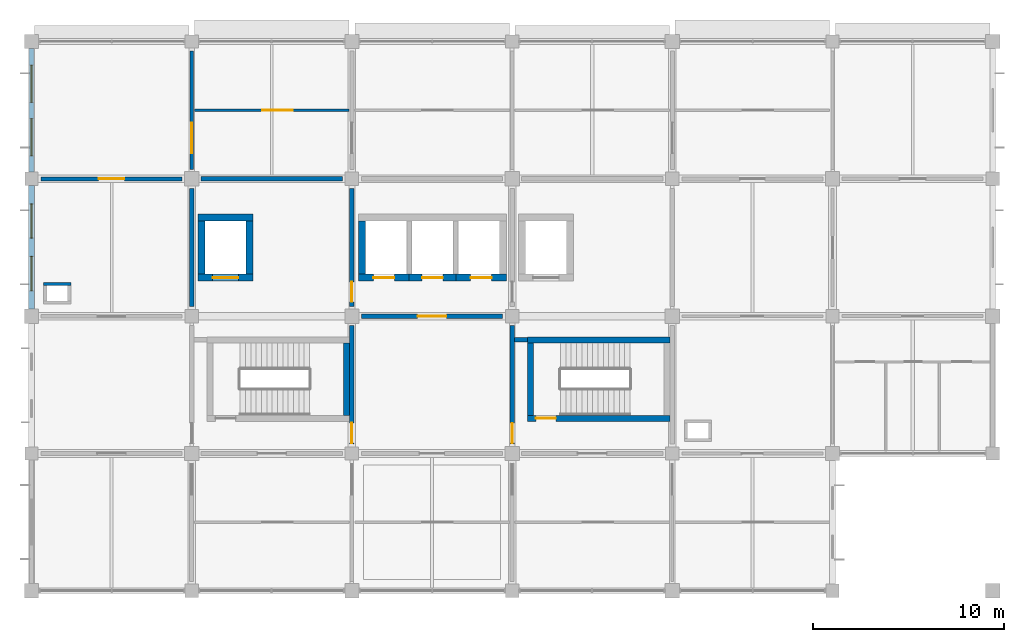
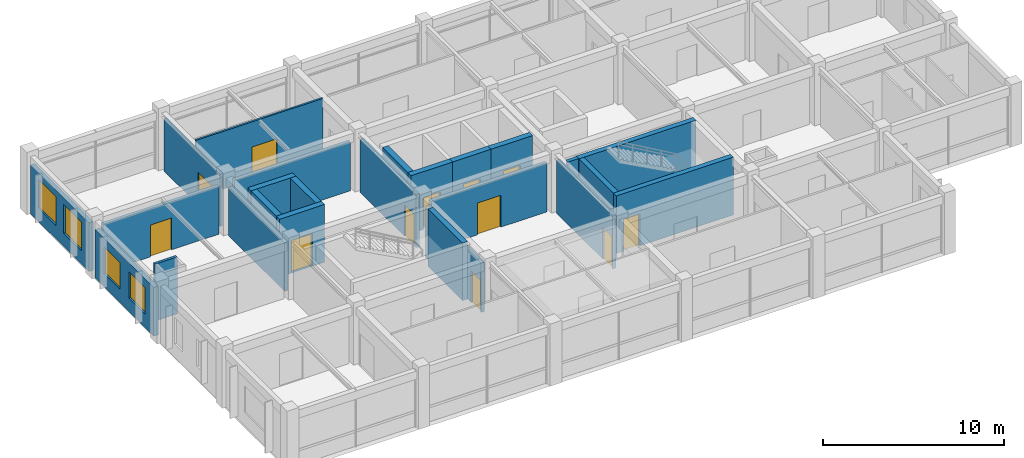
# One storey, part 9 of 13: 25 walls, 12 doors, 4 windows, 16 openings.
"""IFC4 building model written with IfcOpenShell, lengths in metres."""

from ifc_helpers import new_model, si_unit, derived_unit, direction, frame, frame_2d, origin, place, context, subcontext, project, spatial, rectangle, extrude, material, layer, layer_set, type_object, element, fill, save


model = new_model("IFC4")

# Units and contexts
model_context = context("Model", 3, precision=1e-05, world=origin(), true_north=direction((0.0, 1.0)))
body_context = subcontext(model_context, "Body", "Model", "MODEL_VIEW")
ifc_project = project(units=[si_unit("LENGTHUNIT", "METRE"), si_unit("AREAUNIT", "SQUARE_METRE"), si_unit("VOLUMEUNIT", "CUBIC_METRE"), si_unit("PLANEANGLEUNIT", "RADIAN"), si_unit("MASSUNIT", "GRAM", prefix="KILO"), derived_unit("THERMALTRANSMITTANCEUNIT", [(si_unit("MASSUNIT", "GRAM", prefix="KILO"), 1), (si_unit("TIMEUNIT", "SECOND"), -3), (si_unit("THERMODYNAMICTEMPERATUREUNIT", "KELVIN"), -1)])], contexts=[model_context])

# Site, building, storey
site_placement = place(None, origin())
site = spatial("IfcSite", under=ifc_project, at=site_placement, CompositionType="ELEMENT")
building_placement = place(site_placement, origin())
building = spatial("IfcBuilding", under=site, at=building_placement, Name="Veldstrom Oceanarium and Marine Research Institute", CompositionType="ELEMENT")
storey_placement = place(building_placement, frame((0.0, 0.0, 39.60009765625)))
storey = spatial("IfcBuildingStorey", under=building, at=storey_placement, Name="L08", CompositionType="ELEMENT", Elevation=39.60009765625)

# Wall, openings, windows
ifc_material_1 = material(Name="Masonry Cavity Wall", Category="masonry")
ifc_layer_1 = layer(ifc_material_1, 0.2900390625)
ifc_layer_set_1 = layer_set([ifc_layer_1], Name="ARC-WAL-EW2")
wall_type_1 = type_object("IfcWallType", Name="ARC-WAL-EW2", PredefinedType="SOLIDWALL", material=ifc_layer_set_1)
wall_1_placement = place(storey_placement, frame((67.199951171875, 57.97509765625, 0.0), z_axis=(0.0, 0.0, 1.0), x_axis=(0.0, 1.0, 0.0)))
wall_1 = element("IfcWall", 1, at=wall_1_placement, inside=storey, type_object=wall_type_1, Name="Exterior Facade Wall EW2 L08-206", PredefinedType="SOLIDWALL", context=body_context, shape_type="SweptSolid", body=[
    extrude(rectangle(XDim=6.474853515625, YDim=0.2900390625, at=frame_2d((3.2373046875, 0.0))), origin(), (0.0, 0.0, 1.0), 3.294921875),
])
opening_1_placement = place(wall_1_placement, frame((0.958251953125, 0.0, 0.89990234375)))
opening_1 = element("IfcOpeningElement", 2, at=opening_1_placement, cuts=wall_1, Name="Opening W03", PredefinedType="OPENING", context=body_context, shape_type="SweptSolid", body=[
    extrude(rectangle(XDim=1.800048828125, YDim=1.800048828125, at=frame_2d((0.89990234375, 0.89990234375))), frame((0.0, 0.155029296875, 0.0), z_axis=(0.0, -1.0, 0.0), x_axis=(1.0, 0.0, 0.0)), (0.0, 0.0, 1.0), 0.31005859375),
])
opening_2_placement = place(wall_1_placement, frame((3.716796875, 0.0, 0.89990234375)))
opening_2 = element("IfcOpeningElement", 3, at=opening_2_placement, cuts=wall_1, Name="Opening W03", PredefinedType="OPENING", context=body_context, shape_type="SweptSolid", body=[
    extrude(rectangle(XDim=1.800048828125, YDim=1.800048828125, at=frame_2d((0.89990234375, 0.89990234375))), frame((0.0, 0.155029296875, 0.0), z_axis=(0.0, -1.0, 0.0), x_axis=(1.0, 0.0, 0.0)), (0.0, 0.0, 1.0), 0.31005859375),
])
ifc_material_2 = material(Name="Double Glazed Low-E IGU", Category="glass")
window_type_1 = type_object("IfcWindowType", Name="ARC-WIN-W03", PartitioningType="SINGLE_PANEL", PredefinedType="WINDOW", material=ifc_material_2)
window_1_placement = place(opening_1_placement, origin())
window_1 = element("IfcWindow", 4, at=window_1_placement, inside=storey, type_object=window_type_1, Name="Facade Window W03 L08-0179", OverallHeight=1.800048828125, OverallWidth=1.800048828125, PartitioningType="SINGLE_PANEL", PredefinedType="WINDOW", context=body_context, shape_type="SweptSolid", body=[
    extrude(rectangle(XDim=1.800048828125, YDim=1.800048828125, at=frame_2d((0.89990234375, 0.89990234375))), frame((0.0, 0.030029296875, 0.0), z_axis=(0.0, -1.0, 0.0), x_axis=(1.0, 0.0, 0.0)), (0.0, 0.0, 1.0), 0.06005859375),
])
fill(opening_1, window_1)
window_2_placement = place(opening_2_placement, origin())
window_2 = element("IfcWindow", 5, at=window_2_placement, inside=storey, type_object=window_type_1, Name="Facade Window W03 L08-0180", OverallHeight=1.800048828125, OverallWidth=1.800048828125, PartitioningType="SINGLE_PANEL", PredefinedType="WINDOW", context=body_context, shape_type="SweptSolid", body=[
    extrude(rectangle(XDim=1.800048828125, YDim=1.800048828125, at=frame_2d((0.89990234375, 0.89990234375))), frame((0.0, 0.030029296875, 0.0), z_axis=(0.0, -1.0, 0.0), x_axis=(1.0, 0.0, 0.0)), (0.0, 0.0, 1.0), 0.06005859375),
])
fill(opening_2, window_2)

ifc_material_3 = material(Name="Masonry Cavity Wall", Category="masonry")
ifc_layer_2 = layer(ifc_material_3, 0.27001953125)
ifc_layer_set_2 = layer_set([ifc_layer_2], Name="ARC-WAL-EW3")
wall_type_2 = type_object("IfcWallType", Name="ARC-WAL-EW3", PredefinedType="SOLIDWALL", material=ifc_layer_set_2)
wall_2_placement = place(storey_placement, frame((67.199951171875, 65.14990234375, 0.0), z_axis=(0.0, 0.0, 1.0), x_axis=(0.0, 1.0, 0.0)))
wall_2 = element("IfcWall", 6, at=wall_2_placement, inside=storey, type_object=wall_type_2, Name="Exterior Facade Wall EW3 L08-207", PredefinedType="SOLIDWALL", context=body_context, shape_type="SweptSolid", body=[
    extrude(rectangle(XDim=6.47509765625, YDim=0.27001953125, at=frame_2d((3.237548828125, 0.0))), origin(), (0.0, 0.0, 1.0), 3.294921875),
])
opening_3_placement = place(wall_2_placement, frame((0.8583984375, 0.0, 0.89990234375)))
opening_3 = element("IfcOpeningElement", 7, at=opening_3_placement, cuts=wall_2, Name="Opening W22", PredefinedType="OPENING", context=body_context, shape_type="SweptSolid", body=[
    extrude(rectangle(XDim=1.949951171875, YDim=1.949951171875, at=frame_2d((0.97509765625, 0.97509765625))), frame((0.0, 0.14501953125, 0.0), z_axis=(0.0, -1.0, 0.0), x_axis=(1.0, 0.0, 0.0)), (0.0, 0.0, 1.0), 0.2900390625),
])
opening_4_placement = place(wall_2_placement, frame((3.666748046875, 0.0, 0.89990234375)))
opening_4 = element("IfcOpeningElement", 8, at=opening_4_placement, cuts=wall_2, Name="Opening W22", PredefinedType="OPENING", context=body_context, shape_type="SweptSolid", body=[
    extrude(rectangle(XDim=1.949951171875, YDim=1.949951171875, at=frame_2d((0.97509765625, 0.97509765625))), frame((0.0, 0.14501953125, 0.0), z_axis=(0.0, -1.0, 0.0), x_axis=(1.0, 0.0, 0.0)), (0.0, 0.0, 1.0), 0.2900390625),
])
ifc_material_4 = material(Name="Double Glazed Low-E IGU", Category="glass")
window_type_2 = type_object("IfcWindowType", Name="ARC-WIN-W22", PartitioningType="SINGLE_PANEL", PredefinedType="WINDOW", material=ifc_material_4)
window_3_placement = place(opening_3_placement, origin())
window_3 = element("IfcWindow", 9, at=window_3_placement, inside=storey, type_object=window_type_2, Name="Facade Window W22 L08-0181", OverallHeight=1.949951171875, OverallWidth=1.949951171875, PartitioningType="SINGLE_PANEL", PredefinedType="WINDOW", context=body_context, shape_type="SweptSolid", body=[
    extrude(rectangle(XDim=1.949951171875, YDim=1.949951171875, at=frame_2d((0.97509765625, 0.97509765625))), frame((0.0, 0.030029296875, 0.0), z_axis=(0.0, -1.0, 0.0), x_axis=(1.0, 0.0, 0.0)), (0.0, 0.0, 1.0), 0.06005859375),
])
fill(opening_3, window_3)
window_4_placement = place(opening_4_placement, origin())
window_4 = element("IfcWindow", 10, at=window_4_placement, inside=storey, type_object=window_type_2, Name="Facade Window W22 L08-0182", OverallHeight=1.949951171875, OverallWidth=1.949951171875, PartitioningType="SINGLE_PANEL", PredefinedType="WINDOW", context=body_context, shape_type="SweptSolid", body=[
    extrude(rectangle(XDim=1.949951171875, YDim=1.949951171875, at=frame_2d((0.97509765625, 0.97509765625))), frame((0.0, 0.030029296875, 0.0), z_axis=(0.0, -1.0, 0.0), x_axis=(1.0, 0.0, 0.0)), (0.0, 0.0, 1.0), 0.06005859375),
])
fill(opening_4, window_4)

# Wall
ifc_material_5 = material(Name="Masonry Fire Compartment Wall", Category="masonry")
ifc_layer_3 = layer(ifc_material_5, 0.22998046875)
ifc_layer_set_3 = layer_set([ifc_layer_3], Name="ARC-WAL-PT1")
wall_type_3 = type_object("IfcWallType", Name="ARC-WAL-PT1", PredefinedType="PARTITIONING", material=ifc_layer_set_3)
wall_3_placement = place(storey_placement, frame((75.60009765625, 58.10009765625, 0.0), z_axis=(0.0, 0.0, 1.0), x_axis=(0.0, 1.0, 0.0)))
element("IfcWall", 11, at=wall_3_placement, inside=storey, type_object=wall_type_3, Name="Interior Partition PT1 L08-1570", PredefinedType="PARTITIONING", context=body_context, shape_type="SweptSolid", body=[
    extrude(rectangle(XDim=6.199951171875, YDim=0.22998046875, at=frame_2d((3.10009765625, 0.0))), origin(), (0.0, 0.0, 1.0), 3.294921875),
])

# Wall, opening, door
wall_4_placement = place(storey_placement, frame((84.0, 50.89990234375, 0.0), z_axis=(0.0, 0.0, 1.0), x_axis=(0.0, 1.0, 0.0)))
wall_4 = element("IfcWall", 12, at=wall_4_placement, inside=storey, type_object=wall_type_3, Name="Interior Partition PT1 L08-1575", PredefinedType="PARTITIONING", context=body_context, shape_type="SweptSolid", body=[
    extrude(rectangle(XDim=6.2001953125, YDim=0.22998046875, at=frame_2d((3.10009765625, 0.0))), origin(), (0.0, 0.0, 1.0), 3.344970703125),
])
opening_5_placement = place(wall_4_placement, frame((0.050048828125, 0.0, 0.0)))
opening_5 = element("IfcOpeningElement", 13, at=opening_5_placement, cuts=wall_4, Name="Opening D-L08-957", PredefinedType="OPENING", context=body_context, shape_type="SweptSolid", body=[
    extrude(rectangle(XDim=1.050048828125, YDim=2.14990234375, at=frame_2d((0.52490234375, 1.074951171875))), frame((0.0, 0.125, 0.0), z_axis=(0.0, -1.0, 0.0), x_axis=(1.0, 0.0, 0.0)), (0.0, 0.0, 1.0), 0.25),
])
ifc_material_6 = material(Name="Painted Steel Fire Door", Category="steel")
door_type_1 = type_object("IfcDoorType", Name="ARC-DOR-SD1", OperationType="SINGLE_SWING_LEFT", PredefinedType="DOOR", material=ifc_material_6)
door_1_placement = place(opening_5_placement, frame((1.050048828125, 0.0, 0.0), z_axis=(0.0, 0.0, 1.0), x_axis=(-1.0, 0.0, 0.0)))
door_1 = element("IfcDoor", 14, at=door_1_placement, inside=storey, type_object=door_type_1, Name="Interior Door D-L08-957", OperationType="SINGLE_SWING_RIGHT", OverallHeight=2.14990234375, OverallWidth=1.050048828125, PredefinedType="DOOR", context=body_context, shape_type="SweptSolid", body=[
    extrude(rectangle(XDim=1.050048828125, YDim=2.14990234375, at=frame_2d((0.52490234375, 1.074951171875))), frame((0.0, 0.02490234375, 0.0), z_axis=(0.0, -1.0, 0.0), x_axis=(1.0, 0.0, 0.0)), (0.0, 0.0, 1.0), 0.050048828125),
])
fill(opening_5, door_1)

wall_5_placement = place(storey_placement, frame((84.0, 58.10009765625, 0.0), z_axis=(0.0, 0.0, 1.0), x_axis=(0.0, 1.0, 0.0)))
wall_5 = element("IfcWall", 15, at=wall_5_placement, inside=storey, type_object=wall_type_3, Name="Interior Partition PT1 L08-1577", PredefinedType="PARTITIONING", context=body_context, shape_type="SweptSolid", body=[
    extrude(rectangle(XDim=6.199951171875, YDim=0.22998046875, at=frame_2d((3.10009765625, 0.0))), origin(), (0.0, 0.0, 1.0), 3.60498046875),
])
opening_6_placement = place(wall_5_placement, frame((0.25, 0.0, 0.0)))
opening_6 = element("IfcOpeningElement", 16, at=opening_6_placement, cuts=wall_5, Name="Opening D-L08-958", PredefinedType="OPENING", context=body_context, shape_type="SweptSolid", body=[
    extrude(rectangle(XDim=1.050048828125, YDim=2.14990234375, at=frame_2d((0.52490234375, 1.074951171875))), frame((0.0, 0.125, 0.0), z_axis=(0.0, -1.0, 0.0), x_axis=(1.0, 0.0, 0.0)), (0.0, 0.0, 1.0), 0.25),
])
door_2_placement = place(opening_6_placement, origin())
door_2 = element("IfcDoor", 17, at=door_2_placement, inside=storey, type_object=door_type_1, Name="Interior Door D-L08-958", OperationType="SINGLE_SWING_LEFT", OverallHeight=2.14990234375, OverallWidth=1.050048828125, PredefinedType="DOOR", context=body_context, shape_type="SweptSolid", body=[
    extrude(rectangle(XDim=1.050048828125, YDim=2.14990234375, at=frame_2d((0.52490234375, 1.074951171875))), frame((0.0, 0.02490234375, 0.0), z_axis=(0.0, -1.0, 0.0), x_axis=(1.0, 0.0, 0.0)), (0.0, 0.0, 1.0), 0.050048828125),
])
fill(opening_6, door_2)

# Wall
wall_6_placement = place(storey_placement, frame((76.10009765625, 64.800048828125, 0.0), z_axis=(0.0, 0.0, 1.0), x_axis=(1.0, 0.0, 0.0)))
element("IfcWall", 18, at=wall_6_placement, inside=storey, type_object=wall_type_3, Name="Interior Partition PT1 L08-1578", PredefinedType="PARTITIONING", context=body_context, shape_type="SweptSolid", body=[
    extrude(rectangle(XDim=7.39990234375, YDim=0.22998046875, at=frame_2d((3.699951171875, 0.0))), origin(), (0.0, 0.0, 1.0), 3.294921875),
])

# Wall, opening, door
wall_7_placement = place(storey_placement, frame((92.39990234375, 50.89990234375, 0.0), z_axis=(0.0, 0.0, 1.0), x_axis=(0.0, 1.0, 0.0)))
wall_7 = element("IfcWall", 19, at=wall_7_placement, inside=storey, type_object=wall_type_3, Name="Interior Partition PT1 L08-1582", PredefinedType="PARTITIONING", context=body_context, shape_type="SweptSolid", body=[
    extrude(rectangle(XDim=6.2001953125, YDim=0.22998046875, at=frame_2d((3.10009765625, 0.0))), origin(), (0.0, 0.0, 1.0), 3.60498046875),
])
opening_7_placement = place(wall_7_placement, frame((0.050048828125, 0.0, 0.0)))
opening_7 = element("IfcOpeningElement", 20, at=opening_7_placement, cuts=wall_7, Name="Opening D-L08-962", PredefinedType="OPENING", context=body_context, shape_type="SweptSolid", body=[
    extrude(rectangle(XDim=1.050048828125, YDim=2.14990234375, at=frame_2d((0.52490234375, 1.074951171875))), frame((0.0, 0.125, 0.0), z_axis=(0.0, -1.0, 0.0), x_axis=(1.0, 0.0, 0.0)), (0.0, 0.0, 1.0), 0.25),
])
door_3_placement = place(opening_7_placement, origin())
door_3 = element("IfcDoor", 21, at=door_3_placement, inside=storey, type_object=door_type_1, Name="Interior Door D-L08-962", OperationType="SINGLE_SWING_LEFT", OverallHeight=2.14990234375, OverallWidth=1.050048828125, PredefinedType="DOOR", context=body_context, shape_type="SweptSolid", body=[
    extrude(rectangle(XDim=1.050048828125, YDim=2.14990234375, at=frame_2d((0.52490234375, 1.074951171875))), frame((0.0, 0.02490234375, 0.0), z_axis=(0.0, -1.0, 0.0), x_axis=(1.0, 0.0, 0.0)), (0.0, 0.0, 1.0), 0.050048828125),
])
fill(opening_7, door_3)

wall_8_placement = place(storey_placement, frame((84.5, 57.60009765625, 0.0), z_axis=(0.0, 0.0, 1.0), x_axis=(1.0, 0.0, 0.0)))
wall_8 = element("IfcWall", 22, at=wall_8_placement, inside=storey, type_object=wall_type_3, Name="Interior Partition PT1 L08-1583", PredefinedType="PARTITIONING", context=body_context, shape_type="SweptSolid", body=[
    extrude(rectangle(XDim=7.39990234375, YDim=0.22998046875, at=frame_2d((3.699951171875, 0.0))), origin(), (0.0, 0.0, 1.0), 3.294921875),
])
opening_8_placement = place(wall_8_placement, frame((2.949951171875, 0.0, 0.0)))
opening_8 = element("IfcOpeningElement", 23, at=opening_8_placement, cuts=wall_8, Name="Opening D-L08-963", PredefinedType="OPENING", context=body_context, shape_type="SweptSolid", body=[
    extrude(rectangle(XDim=1.5, YDim=2.14990234375, at=frame_2d((0.75, 1.074951171875))), frame((0.0, 0.125, 0.0), z_axis=(0.0, -1.0, 0.0), x_axis=(1.0, 0.0, 0.0)), (0.0, 0.0, 1.0), 0.25),
])
ifc_material_7 = material(Name="Painted Steel Lobby Fire Door", Category="steel")
door_type_2 = type_object("IfcDoorType", Name="ARC-DOR-SD2", OperationType="DOUBLE_DOOR_SINGLE_SWING", PredefinedType="DOOR", material=ifc_material_7)
door_4_placement = place(opening_8_placement, origin())
door_4 = element("IfcDoor", 24, at=door_4_placement, inside=storey, type_object=door_type_2, Name="Interior Door D-L08-963", OperationType="DOUBLE_DOOR_SINGLE_SWING", OverallHeight=2.14990234375, OverallWidth=1.5, PredefinedType="DOOR", context=body_context, shape_type="SweptSolid", body=[
    extrude(rectangle(XDim=1.5, YDim=2.14990234375, at=frame_2d((0.75, 1.074951171875))), frame((0.0, 0.02490234375, 0.0), z_axis=(0.0, -1.0, 0.0), x_axis=(1.0, 0.0, 0.0)), (0.0, 0.0, 1.0), 0.050048828125),
])
fill(opening_8, door_4)

# Wall
wall_9_placement = place(storey_placement, frame((92.52001953125, 56.360107421875, 0.0), z_axis=(0.0, 0.0, 1.0), x_axis=(1.0, 0.0, 0.0)))
element("IfcWall", 25, at=wall_9_placement, inside=storey, type_object=wall_type_3, Name="Interior Partition PT1 L08-1590", PredefinedType="PARTITIONING", context=body_context, shape_type="SweptSolid", body=[
    extrude(rectangle(XDim=0.679931640625, YDim=0.22998046875, at=frame_2d((0.33984375, 0.0))), origin(), (0.0, 0.0, 1.0), 3.89990234375),
])

# Wall, opening, door
ifc_material_8 = material(Name="Gypsum Acoustic Lab Partition", Category="gypsum")
ifc_layer_4 = layer(ifc_material_8, 0.1201171875)
ifc_layer_set_4 = layer_set([ifc_layer_4], Name="ARC-WAL-PT10")
wall_type_4 = type_object("IfcWallType", Name="ARC-WAL-PT10", PredefinedType="PARTITIONING", material=ifc_layer_set_4)
wall_10_placement = place(storey_placement, frame((75.75, 68.39990234375, 0.0), z_axis=(0.0, 0.0, 1.0), x_axis=(1.0, 0.0, 0.0)))
wall_10 = element("IfcWall", 26, at=wall_10_placement, inside=storey, type_object=wall_type_4, Name="Laboratory Suite Partition L08-9/9", PredefinedType="PARTITIONING", context=body_context, shape_type="SweptSolid", body=[
    extrude(rectangle(XDim=8.10009765625, YDim=0.1201171875, at=frame_2d((4.050048828125, 0.0))), origin(), (0.0, 0.0, 1.0), 3.89990234375),
])
opening_9_placement = place(wall_10_placement, frame((3.550048828125, 0.0, 0.0)))
opening_9 = element("IfcOpeningElement", 27, at=opening_9_placement, cuts=wall_10, Name="Opening D-L08-S945", PredefinedType="OPENING", context=body_context, shape_type="SweptSolid", body=[
    extrude(rectangle(XDim=1.60009765625, YDim=2.199951171875, at=frame_2d((0.800048828125, 1.10009765625))), frame((0.0, 0.070068359375, 0.0), z_axis=(0.0, -1.0, 0.0), x_axis=(1.0, 0.0, 0.0)), (0.0, 0.0, 1.0), 0.14013671875),
])
ifc_material_9 = material(Name="Acoustic Timber Corridor Door", Category="wood")
door_type_3 = type_object("IfcDoorType", Name="ARC-DOR-ID02", OperationType="DOUBLE_DOOR_SINGLE_SWING", PredefinedType="DOOR", material=ifc_material_9)
door_5_placement = place(opening_9_placement, origin())
door_5 = element("IfcDoor", 28, at=door_5_placement, inside=storey, type_object=door_type_3, Name="Suite Interior Door D-L08-S945", OperationType="SINGLE_SWING_RIGHT", OverallHeight=2.199951171875, OverallWidth=1.60009765625, PredefinedType="DOOR", context=body_context, shape_type="SweptSolid", body=[
    extrude(rectangle(XDim=1.60009765625, YDim=2.199951171875, at=frame_2d((0.800048828125, 1.10009765625))), frame((0.0, 0.02490234375, 0.0), z_axis=(0.0, -1.0, 0.0), x_axis=(1.0, 0.0, 0.0)), (0.0, 0.0, 1.0), 0.050048828125),
])
fill(opening_9, door_5)

ifc_material_10 = material(Name="Masonry Acoustic Lab Partition", Category="masonry")
ifc_layer_5 = layer(ifc_material_10, 0.205078125)
ifc_layer_set_5 = layer_set([ifc_layer_5], Name="ARC-WAL-PT2")
wall_type_5 = type_object("IfcWallType", Name="ARC-WAL-PT2", PredefinedType="PARTITIONING", material=ifc_layer_set_5)
wall_11_placement = place(storey_placement, frame((67.699951171875, 64.800048828125, 0.0), z_axis=(0.0, 0.0, 1.0), x_axis=(1.0, 0.0, 0.0)))
wall_11 = element("IfcWall", 29, at=wall_11_placement, inside=storey, type_object=wall_type_5, Name="Interior Partition PT2 L08-1571", PredefinedType="PARTITIONING", context=body_context, shape_type="SweptSolid", body=[
    extrude(rectangle(XDim=7.400146484375, YDim=0.205078125, at=frame_2d((3.7001953125, 0.0))), origin(), (0.0, 0.0, 1.0), 3.244873046875),
])
opening_10_placement = place(wall_11_placement, frame((3.02490234375, 0.0, 0.0)))
opening_10 = element("IfcOpeningElement", 30, at=opening_10_placement, cuts=wall_11, Name="Opening D-L08-953", PredefinedType="OPENING", context=body_context, shape_type="SweptSolid", body=[
    extrude(rectangle(XDim=1.35009765625, YDim=2.14990234375, at=frame_2d((0.675048828125, 1.074951171875))), frame((0.0, 0.112548828125, 0.0), z_axis=(0.0, -1.0, 0.0), x_axis=(1.0, 0.0, 0.0)), (0.0, 0.0, 1.0), 0.22509765625),
])
ifc_material_11 = material(Name="Cleanroom Airlock Door", Category="steel")
door_type_4 = type_object("IfcDoorType", Name="ARC-DOR-ID15", OperationType="SINGLE_SWING_LEFT", PredefinedType="DOOR", material=ifc_material_11)
door_6_placement = place(opening_10_placement, origin())
door_6 = element("IfcDoor", 31, at=door_6_placement, inside=storey, type_object=door_type_4, Name="Interior Door D-L08-953", OperationType="SINGLE_SWING_LEFT", OverallHeight=2.14990234375, OverallWidth=1.35009765625, PredefinedType="DOOR", context=body_context, shape_type="SweptSolid", body=[
    extrude(rectangle(XDim=1.35009765625, YDim=2.14990234375, at=frame_2d((0.675048828125, 1.074951171875))), frame((0.0, 0.02490234375, 0.0), z_axis=(0.0, -1.0, 0.0), x_axis=(1.0, 0.0, 0.0)), (0.0, 0.0, 1.0), 0.050048828125),
])
fill(opening_10, door_6)

ifc_material_12 = material(Name="Drywall Acoustic Partition", Category="gypsum")
ifc_layer_6 = layer(ifc_material_12, 0.175048828125)
ifc_layer_set_6 = layer_set([ifc_layer_6], Name="ARC-WAL-PT3")
wall_type_6 = type_object("IfcWallType", Name="ARC-WAL-PT3", PredefinedType="PARTITIONING", material=ifc_layer_set_6)
wall_12_placement = place(storey_placement, frame((75.60009765625, 65.300048828125, 0.0), z_axis=(0.0, 0.0, 1.0), x_axis=(0.0, 1.0, 0.0)))
wall_12 = element("IfcWall", 32, at=wall_12_placement, inside=storey, type_object=wall_type_6, Name="Interior Partition PT3 L08-1572", PredefinedType="PARTITIONING", context=body_context, shape_type="SweptSolid", body=[
    extrude(rectangle(XDim=6.199951171875, YDim=0.175048828125, at=frame_2d((3.10009765625, 0.0))), origin(), (0.0, 0.0, 1.0), 3.554931640625),
])
opening_11_placement = place(wall_12_placement, frame((0.85009765625, 0.0, 0.0)))
opening_11 = element("IfcOpeningElement", 33, at=opening_11_placement, cuts=wall_12, Name="Opening D-L08-954", PredefinedType="OPENING", context=body_context, shape_type="SweptSolid", body=[
    extrude(rectangle(XDim=1.60009765625, YDim=2.199951171875, at=frame_2d((0.800048828125, 1.10009765625))), frame((0.0, 0.097412109375, 0.0), z_axis=(0.0, -1.0, 0.0), x_axis=(1.0, 0.0, 0.0)), (0.0, 0.0, 1.0), 0.195068359375),
])
door_7_placement = place(opening_11_placement, origin())
door_7 = element("IfcDoor", 34, at=door_7_placement, inside=storey, type_object=door_type_3, Name="Interior Door D-L08-954", OperationType="DOUBLE_DOOR_SINGLE_SWING", OverallHeight=2.199951171875, OverallWidth=1.60009765625, PredefinedType="DOOR", context=body_context, shape_type="SweptSolid", body=[
    extrude(rectangle(XDim=1.60009765625, YDim=2.199951171875, at=frame_2d((0.800048828125, 1.10009765625))), frame((0.0, 0.02490234375, 0.0), z_axis=(0.0, -1.0, 0.0), x_axis=(1.0, 0.0, 0.0)), (0.0, 0.0, 1.0), 0.050048828125),
])
fill(opening_11, door_7)

# Walls
ifc_material_13 = material(Name="Service Riser Fire Shaft Wall", Category="masonry")
ifc_layer_7 = layer(ifc_material_13, 0.1650390625)
ifc_layer_set_7 = layer_set([ifc_layer_7], Name="ARC-WAL-PT9")
wall_type_7 = type_object("IfcWallType", Name="ARC-WAL-PT9", PredefinedType="PARTITIONING", material=ifc_layer_set_7)
wall_13_placement = place(storey_placement, frame((67.8349609375, 59.282470703125, 0.0), z_axis=(0.0, 0.0, 1.0), x_axis=(1.0, 0.0, 0.0)))
element("IfcWall", 35, at=wall_13_placement, inside=storey, type_object=wall_type_7, Name="Service Riser Fire Shaft Wall L08-CW-N", PredefinedType="PARTITIONING", context=body_context, shape_type="SweptSolid", body=[
    extrude(rectangle(XDim=1.429931640625, YDim=0.1650390625, at=frame_2d((0.71484375, 0.0))), origin(), (0.0, 0.0, 1.0), 3.849853515625),
])
ifc_material_14 = material(Name="Concrete C40/50", Category="concrete")
ifc_layer_8 = layer(ifc_material_14, 0.360107421875)
ifc_layer_set_8 = layer_set([ifc_layer_8], Name="STR-WAL-WC2")
wall_type_8 = type_object("IfcWallType", Name="STR-WAL-WC2", PredefinedType="SHEAR", material=ifc_layer_set_8)
wall_14_placement = place(storey_placement, frame((75.93994140625, 62.780029296875, 0.0), z_axis=(0.0, 0.0, 1.0), x_axis=(1.0, 0.0, 0.0)))
element("IfcWall", 36, at=wall_14_placement, inside=storey, type_object=wall_type_8, Name="Lift Shaft Shear Wall N L08 9/8", PredefinedType="SHEAR", context=body_context, shape_type="SweptSolid", body=[
    extrude(rectangle(XDim=2.8701171875, YDim=0.360107421875, at=frame_2d((1.43505859375, 0.0))), origin(), (0.0, 0.0, 1.0), 3.89990234375),
])

# Wall, opening, door
wall_15_placement = place(storey_placement, frame((75.93994140625, 59.6201171875, 0.0), z_axis=(0.0, 0.0, 1.0), x_axis=(1.0, 0.0, 0.0)))
wall_15 = element("IfcWall", 37, at=wall_15_placement, inside=storey, type_object=wall_type_8, Name="Lift Shaft Front Shear Wall LF1 L08", PredefinedType="SHEAR", context=body_context, shape_type="SweptSolid", body=[
    extrude(rectangle(XDim=2.8701171875, YDim=0.360107421875, at=frame_2d((1.43505859375, 0.0))), origin(), (0.0, 0.0, 1.0), 3.89990234375),
])
opening_12_placement = place(wall_15_placement, frame((0.760009765625, 0.0, 0.0)))
opening_12 = element("IfcOpeningElement", 38, at=opening_12_placement, cuts=wall_15, Name="Opening LD-LF1-L08", PredefinedType="OPENING", context=body_context, shape_type="SweptSolid", body=[
    extrude(rectangle(XDim=1.35009765625, YDim=2.199951171875, at=frame_2d((0.675048828125, 1.10009765625))), frame((0.0, 0.18994140625, 0.0), z_axis=(0.0, -1.0, 0.0), x_axis=(1.0, 0.0, 0.0)), (0.0, 0.0, 1.0), 0.380126953125),
])
ifc_material_15 = material(Name="Stainless Steel Lift Landing Door", Category="steel")
door_type_5 = type_object("IfcDoorType", Name="ARC-DOR-LD3", OperationType="DOUBLE_DOOR_SLIDING", PredefinedType="DOOR", material=ifc_material_15)
door_8_placement = place(opening_12_placement, origin())
door_8 = element("IfcDoor", 39, at=door_8_placement, inside=storey, type_object=door_type_5, Name="Lift Landing Door LD-LF1-L08", OperationType="DOUBLE_DOOR_SLIDING", OverallHeight=2.199951171875, OverallWidth=1.35009765625, PredefinedType="DOOR", context=body_context, shape_type="SweptSolid", body=[
    extrude(rectangle(XDim=1.35009765625, YDim=2.199951171875, at=frame_2d((0.675048828125, 1.10009765625))), frame((0.0, 0.02490234375, 0.0), z_axis=(0.0, -1.0, 0.0), x_axis=(1.0, 0.0, 0.0)), (0.0, 0.0, 1.0), 0.050048828125),
])
fill(opening_12, door_8)

# Walls
for number, where, z_axis, x_axis, name in (
    (40, (76.1201171875, 59.800048828125, 0.0), (0.0, 0.0, 1.0), (0.0, 1.0, 0.0), "Lift Shaft Shear Wall W L08 9/8"),
    (41, (78.6298828125, 59.800048828125, 0.0), (0.0, 0.0, 1.0), (0.0, 1.0, 0.0), "Lift Shaft Shear Wall E L08 9/8"),
):
    element("IfcWall", number, at=place(storey_placement, frame(where, z_axis=z_axis, x_axis=x_axis)), inside=storey, type_object=wall_type_8, Name=name, PredefinedType="SHEAR", context=body_context, shape_type="SweptSolid", body=[
        extrude(rectangle(XDim=2.800048828125, YDim=0.360107421875, at=frame_2d((1.39990234375, 0.0))), origin(), (0.0, 0.0, 1.0), 3.89990234375),
    ])

# Wall, opening, door
wall_16_placement = place(storey_placement, frame((84.340087890625, 59.6201171875, 0.0), z_axis=(0.0, 0.0, 1.0), x_axis=(1.0, 0.0, 0.0)))
wall_16 = element("IfcWall", 42, at=wall_16_placement, inside=storey, type_object=wall_type_8, Name="Lift Shaft Front Shear Wall LP1 L08", PredefinedType="SHEAR", context=body_context, shape_type="SweptSolid", body=[
    extrude(rectangle(XDim=2.659912109375, YDim=0.360107421875, at=frame_2d((1.330078125, 0.0))), origin(), (0.0, 0.0, 1.0), 3.89990234375),
])
opening_13_placement = place(wall_16_placement, frame((0.780029296875, 0.0, 0.0)))
opening_13 = element("IfcOpeningElement", 43, at=opening_13_placement, cuts=wall_16, Name="Opening LD-LP1-L08", PredefinedType="OPENING", context=body_context, shape_type="SweptSolid", body=[
    extrude(rectangle(XDim=1.10009765625, YDim=2.14990234375, at=frame_2d((0.550048828125, 1.074951171875))), frame((0.0, 0.18994140625, 0.0), z_axis=(0.0, -1.0, 0.0), x_axis=(1.0, 0.0, 0.0)), (0.0, 0.0, 1.0), 0.380126953125),
])
ifc_material_16 = material(Name="Stainless Steel Lift Landing Door", Category="steel")
door_type_6 = type_object("IfcDoorType", Name="ARC-DOR-LD1", OperationType="DOUBLE_DOOR_SLIDING", PredefinedType="DOOR", material=ifc_material_16)
door_9_placement = place(opening_13_placement, origin())
door_9 = element("IfcDoor", 44, at=door_9_placement, inside=storey, type_object=door_type_6, Name="Lift Landing Door LD-LP1-L08", OperationType="DOUBLE_DOOR_SLIDING", OverallHeight=2.14990234375, OverallWidth=1.10009765625, PredefinedType="DOOR", context=body_context, shape_type="SweptSolid", body=[
    extrude(rectangle(XDim=1.10009765625, YDim=2.14990234375, at=frame_2d((0.550048828125, 1.074951171875))), frame((0.0, 0.02490234375, 0.0), z_axis=(0.0, -1.0, 0.0), x_axis=(1.0, 0.0, 0.0)), (0.0, 0.0, 1.0), 0.050048828125),
])
fill(opening_13, door_9)

wall_17_placement = place(storey_placement, frame((87.0, 59.6201171875, 0.0), z_axis=(0.0, 0.0, 1.0), x_axis=(1.0, 0.0, 0.0)))
wall_17 = element("IfcWall", 45, at=wall_17_placement, inside=storey, type_object=wall_type_8, Name="Lift Shaft Front Shear Wall LP2 L08", PredefinedType="SHEAR", context=body_context, shape_type="SweptSolid", body=[
    extrude(rectangle(XDim=2.449951171875, YDim=0.360107421875, at=frame_2d((1.22509765625, 0.0))), origin(), (0.0, 0.0, 1.0), 3.89990234375),
])
opening_14_placement = place(wall_17_placement, frame((0.675048828125, 0.0, 0.0)))
opening_14 = element("IfcOpeningElement", 46, at=opening_14_placement, cuts=wall_17, Name="Opening LD-LP2-L08", PredefinedType="OPENING", context=body_context, shape_type="SweptSolid", body=[
    extrude(rectangle(XDim=1.10009765625, YDim=2.14990234375, at=frame_2d((0.550048828125, 1.074951171875))), frame((0.0, 0.18994140625, 0.0), z_axis=(0.0, -1.0, 0.0), x_axis=(1.0, 0.0, 0.0)), (0.0, 0.0, 1.0), 0.380126953125),
])
door_10_placement = place(opening_14_placement, origin())
door_10 = element("IfcDoor", 47, at=door_10_placement, inside=storey, type_object=door_type_6, Name="Lift Landing Door LD-LP2-L08", OperationType="DOUBLE_DOOR_SLIDING", OverallHeight=2.14990234375, OverallWidth=1.10009765625, PredefinedType="DOOR", context=body_context, shape_type="SweptSolid", body=[
    extrude(rectangle(XDim=1.10009765625, YDim=2.14990234375, at=frame_2d((0.550048828125, 1.074951171875))), frame((0.0, 0.02490234375, 0.0), z_axis=(0.0, -1.0, 0.0), x_axis=(1.0, 0.0, 0.0)), (0.0, 0.0, 1.0), 0.050048828125),
])
fill(opening_14, door_10)

wall_18_placement = place(storey_placement, frame((89.449951171875, 59.6201171875, 0.0), z_axis=(0.0, 0.0, 1.0), x_axis=(1.0, 0.0, 0.0)))
wall_18 = element("IfcWall", 48, at=wall_18_placement, inside=storey, type_object=wall_type_8, Name="Lift Shaft Front Shear Wall LP3 L08", PredefinedType="SHEAR", context=body_context, shape_type="SweptSolid", body=[
    extrude(rectangle(XDim=2.66015625, YDim=0.360107421875, at=frame_2d((1.330078125, 0.0))), origin(), (0.0, 0.0, 1.0), 3.89990234375),
])
opening_15_placement = place(wall_18_placement, frame((0.780029296875, 0.0, 0.0)))
opening_15 = element("IfcOpeningElement", 49, at=opening_15_placement, cuts=wall_18, Name="Opening LD-LP3-L08", PredefinedType="OPENING", context=body_context, shape_type="SweptSolid", body=[
    extrude(rectangle(XDim=1.10009765625, YDim=2.14990234375, at=frame_2d((0.550048828125, 1.074951171875))), frame((0.0, 0.18994140625, 0.0), z_axis=(0.0, -1.0, 0.0), x_axis=(1.0, 0.0, 0.0)), (0.0, 0.0, 1.0), 0.380126953125),
])
door_11_placement = place(opening_15_placement, origin())
door_11 = element("IfcDoor", 50, at=door_11_placement, inside=storey, type_object=door_type_6, Name="Lift Landing Door LD-LP3-L08", OperationType="DOUBLE_DOOR_SLIDING", OverallHeight=2.14990234375, OverallWidth=1.10009765625, PredefinedType="DOOR", context=body_context, shape_type="SweptSolid", body=[
    extrude(rectangle(XDim=1.10009765625, YDim=2.14990234375, at=frame_2d((0.550048828125, 1.074951171875))), frame((0.0, 0.02490234375, 0.0), z_axis=(0.0, -1.0, 0.0), x_axis=(1.0, 0.0, 0.0)), (0.0, 0.0, 1.0), 0.050048828125),
])
fill(opening_15, door_11)

# Walls
wall_19_placement = place(storey_placement, frame((84.52001953125, 59.800048828125, 0.0), z_axis=(0.0, 0.0, 1.0), x_axis=(0.0, 1.0, 0.0)))
element("IfcWall", 51, at=wall_19_placement, inside=storey, type_object=wall_type_8, Name="Lift Shaft Shear Wall W L08 10/8", PredefinedType="SHEAR", context=body_context, shape_type="SweptSolid", body=[
    extrude(rectangle(XDim=2.800048828125, YDim=0.360107421875, at=frame_2d((1.39990234375, 0.0))), origin(), (0.0, 0.0, 1.0), 3.89990234375),
])
ifc_material_17 = material(Name="Concrete C40/50", Category="concrete")
ifc_layer_9 = layer(ifc_material_17, 0.320068359375)
ifc_layer_set_9 = layer_set([ifc_layer_9], Name="STR-WAL-WC3")
wall_type_9 = type_object("IfcWallType", Name="STR-WAL-WC3", PredefinedType="SHEAR", material=ifc_layer_set_9)
wall_20_placement = place(storey_placement, frame((83.719970703125, 52.39990234375, 0.0), z_axis=(0.0, 0.0, 1.0), x_axis=(0.0, 1.0, 0.0)))
element("IfcWall", 52, at=wall_20_placement, inside=storey, type_object=wall_type_9, Name="Stair Core Shear Wall SC1-L08-E", PredefinedType="SHEAR", context=body_context, shape_type="SweptSolid", body=[
    extrude(rectangle(XDim=3.800048828125, YDim=0.320068359375, at=frame_2d((1.89990234375, 0.0))), origin(), (0.0, 0.0, 1.0), 3.89990234375),
])

# Wall, opening, door
wall_21_placement = place(storey_placement, frame((93.199951171875, 52.239990234375, 0.0), z_axis=(0.0, 0.0, 1.0), x_axis=(1.0, 0.0, 0.0)))
wall_21 = element("IfcWall", 53, at=wall_21_placement, inside=storey, type_object=wall_type_9, Name="Stair Core Shear Wall SC2-L08-S", PredefinedType="SHEAR", context=body_context, shape_type="SweptSolid", body=[
    extrude(rectangle(XDim=7.47998046875, YDim=0.320068359375, at=frame_2d((3.739990234375, 0.0))), origin(), (0.0, 0.0, 1.0), 3.89990234375),
])
opening_16_placement = place(wall_21_placement, frame((0.449951171875, 0.0, 0.0)))
opening_16 = element("IfcOpeningElement", 54, at=opening_16_placement, cuts=wall_21, Name="Opening D-ST2-L08", PredefinedType="OPENING", context=body_context, shape_type="SweptSolid", body=[
    extrude(rectangle(XDim=1.050048828125, YDim=2.14990234375, at=frame_2d((0.52490234375, 1.074951171875))), frame((0.0, 0.169921875, 0.0), z_axis=(0.0, -1.0, 0.0), x_axis=(1.0, 0.0, 0.0)), (0.0, 0.0, 1.0), 0.340087890625),
])
door_12_placement = place(opening_16_placement, origin())
door_12 = element("IfcDoor", 55, at=door_12_placement, inside=storey, type_object=door_type_1, Name="Escape Stair Fire Door D-ST2-L08", OperationType="SINGLE_SWING_LEFT", OverallHeight=2.14990234375, OverallWidth=1.050048828125, PredefinedType="DOOR", context=body_context, shape_type="SweptSolid", body=[
    extrude(rectangle(XDim=1.050048828125, YDim=2.14990234375, at=frame_2d((0.52490234375, 1.074951171875))), frame((0.0, 0.02490234375, 0.0), z_axis=(0.0, -1.0, 0.0), x_axis=(1.0, 0.0, 0.0)), (0.0, 0.0, 1.0), 0.050048828125),
])
fill(opening_16, door_12)

# Walls
wall_22_placement = place(storey_placement, frame((93.199951171875, 56.360107421875, 0.0), z_axis=(0.0, 0.0, 1.0), x_axis=(1.0, 0.0, 0.0)))
element("IfcWall", 56, at=wall_22_placement, inside=storey, type_object=wall_type_9, Name="Stair Core Shear Wall SC2-L08-N", PredefinedType="SHEAR", context=body_context, shape_type="SweptSolid", body=[
    extrude(rectangle(XDim=7.47998046875, YDim=0.320068359375, at=frame_2d((3.739990234375, 0.0))), origin(), (0.0, 0.0, 1.0), 3.89990234375),
])
wall_23_placement = place(storey_placement, frame((93.360107421875, 52.39990234375, 0.0), z_axis=(0.0, 0.0, 1.0), x_axis=(0.0, 1.0, 0.0)))
element("IfcWall", 57, at=wall_23_placement, inside=storey, type_object=wall_type_9, Name="Stair Core Shear Wall SC2-L08-W", PredefinedType="SHEAR", context=body_context, shape_type="SweptSolid", body=[
    extrude(rectangle(XDim=3.800048828125, YDim=0.320068359375, at=frame_2d((1.89990234375, 0.0))), origin(), (0.0, 0.0, 1.0), 3.89990234375),
])

save(model, "model.ifc")
